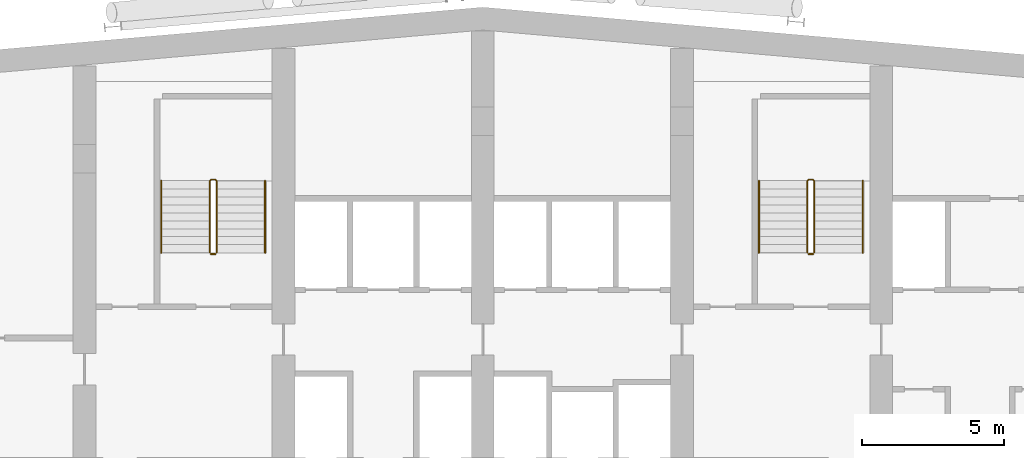
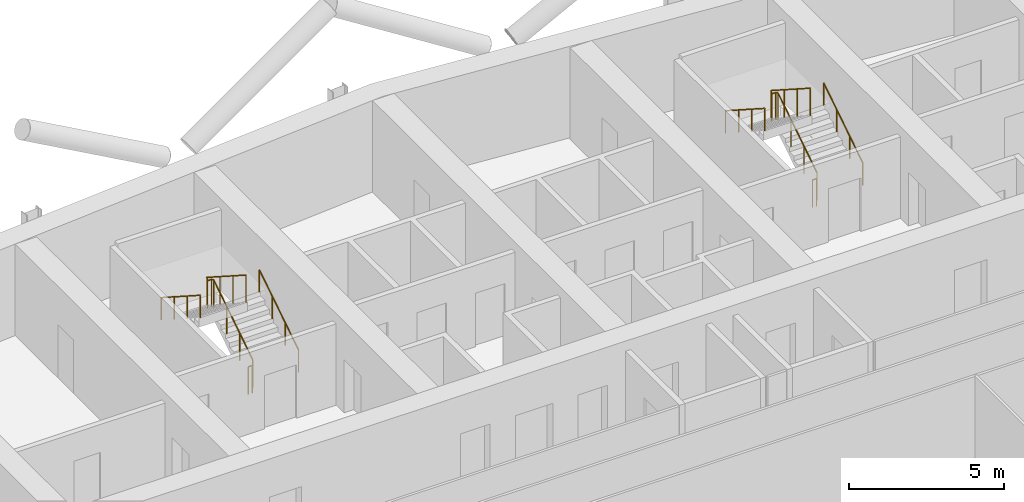
# One storey, part 28 of 28: 8 railings.
"""IFC4 building model written with IfcOpenShell, lengths in metres."""

from ifc_helpers import new_model, si_unit, direction, frame, origin, origin_2d, place, context, subcontext, project, spatial, circle, extrude, material, type_object, element, save


model = new_model("IFC4")

# Units and contexts
model_context = context("Model", 3, precision=1e-05, world=origin(), true_north=direction((0.0, 1.0)))
body_context = subcontext(model_context, "Body", "Model", "MODEL_VIEW")
ifc_project = project(units=[si_unit("LENGTHUNIT", "METRE"), si_unit("AREAUNIT", "SQUARE_METRE"), si_unit("VOLUMEUNIT", "CUBIC_METRE"), si_unit("PLANEANGLEUNIT", "RADIAN"), si_unit("MASSUNIT", "GRAM", prefix="KILO")], contexts=[model_context])

# Site, building, storey
site_placement = place(None, origin())
site = spatial("IfcSite", under=ifc_project, at=site_placement, CompositionType="ELEMENT")
building_placement = place(site_placement, origin())
building = spatial("IfcBuilding", under=site, at=building_placement, Name="Wharfspan Tower", CompositionType="ELEMENT")
storey_placement = place(building_placement, frame((0.0, 0.0, 187.899902)))
storey = spatial("IfcBuildingStorey", under=building, at=storey_placement, Name="L46", CompositionType="ELEMENT", Elevation=187.899902)

# Railings
ifc_material = material(Name="Steel S355J2", Category="steel")
railing_type_1 = type_object("IfcRailingType", Name="Stair guard 1100", PredefinedType="GUARDRAIL", material=ifc_material)
railing_1_placement = place(storey_placement, frame((27.649902, 42.0, 0.180176)))
element("IfcRailing", 1, at=railing_1_placement, inside=storey, type_object=railing_type_1, Name="L46 ST1 stair guard 1", PredefinedType="GUARDRAIL", context=body_context, shape_type="SweptSolid", body=[
    extrude(circle(Radius=0.023926, at=origin_2d()), frame((0.0, 0.0, 1.076172), z_axis=(0.0, 0.8412, 0.540725), x_axis=(-1.0, 0.0, 0.0)), (0.0, 0.0, 1.0), 2.99585),
    extrude(circle(Radius=0.023926, at=origin_2d()), frame((0.0, 2.52002, 2.695801), z_axis=(-0.705376, 0.708834, 0.0), x_axis=(-0.708834, -0.705376, 0.0)), (0.0, 0.0, 1.0), 0.070557),
    extrude(circle(Radius=0.023926, at=origin_2d()), frame((-0.049805, 2.570068, 2.695801), z_axis=(-1.0, 0.0, 0.0), x_axis=(0.0, -1.0, 0.0)), (0.0, 0.0, 1.0), 0.150146),
    extrude(circle(Radius=0.023926, at=origin_2d()), frame((-0.199951, 2.570068, 2.695801), z_axis=(-0.258848, -0.258848, 0.930589), x_axis=(0.707107, -0.707107, 0.0)), (0.0, 0.0, 1.0), 0.193359),
    extrude(circle(Radius=0.023926, at=origin_2d()), frame((-0.25, 2.52002, 2.875977), z_axis=(0.0, -0.841163, 0.540782), x_axis=(1.0, 0.0, 0.0)), (0.0, 0.0, 1.0), 2.99585),
    extrude(circle(Radius=0.020996, at=origin_2d()), origin(), (0.0, 0.0, 1.0), 1.052002),
    extrude(circle(Radius=0.020996, at=origin_2d()), frame((0.0, 0.840088, 0.540039)), (0.0, 0.0, 1.0), 1.052002),
    extrude(circle(Radius=0.020996, at=origin_2d()), frame((0.0, 1.679932, 1.079834)), (0.0, 0.0, 1.0), 1.052002),
    extrude(circle(Radius=0.020996, at=origin_2d()), frame((0.0, 2.52002, 1.619873)), (0.0, 0.0, 1.0), 1.052002),
    extrude(circle(Radius=0.020996, at=origin_2d()), frame((-0.049805, 2.570068, 1.619873)), (0.0, 0.0, 1.0), 1.052002),
    extrude(circle(Radius=0.020996, at=origin_2d()), frame((-0.199951, 2.570068, 1.619873)), (0.0, 0.0, 1.0), 1.052002),
    extrude(circle(Radius=0.020996, at=origin_2d()), frame((-0.25, 2.52002, 1.799805)), (0.0, 0.0, 1.0), 1.052002),
    extrude(circle(Radius=0.020996, at=origin_2d()), frame((-0.25, 1.679932, 2.339844)), (0.0, 0.0, 1.0), 1.052002),
    extrude(circle(Radius=0.020996, at=origin_2d()), frame((-0.25, 0.840088, 2.879883)), (0.0, 0.0, 1.0), 1.052002),
    extrude(circle(Radius=0.020996, at=origin_2d()), frame((-0.25, 0.0, 3.419922)), (0.0, 0.0, 1.0), 1.052002),
])
railing_2_placement = place(storey_placement, frame((27.600098, 41.949951, 0.0)))
element("IfcRailing", 2, at=railing_2_placement, inside=storey, type_object=railing_type_1, Name="L46 ST1 stair guard 2", PredefinedType="GUARDRAIL", context=body_context, shape_type="SweptSolid", body=[
    extrude(circle(Radius=0.023926, at=origin_2d()), frame((0.0, 0.0, 1.076172), z_axis=(-1.0, 0.0, 0.0), x_axis=(0.0, -1.0, 0.0)), (0.0, 0.0, 1.0), 0.150146),
    extrude(circle(Radius=0.020996, at=origin_2d()), origin(), (0.0, 0.0, 1.0), 1.052002),
    extrude(circle(Radius=0.020996, at=origin_2d()), frame((-0.150146, 0.0, 0.0)), (0.0, 0.0, 1.0), 1.052002),
])
railing_3_placement = place(storey_placement, frame((48.649902, 42.0, 0.180176)))
element("IfcRailing", 3, at=railing_3_placement, inside=storey, type_object=railing_type_1, Name="L46 ST2 stair guard 1", PredefinedType="GUARDRAIL", context=body_context, shape_type="SweptSolid", body=[
    extrude(circle(Radius=0.023926, at=origin_2d()), frame((0.0, 0.0, 1.076172), z_axis=(0.0, 0.8412, 0.540725), x_axis=(-1.0, 0.0, 0.0)), (0.0, 0.0, 1.0), 2.99585),
    extrude(circle(Radius=0.023926, at=origin_2d()), frame((0.0, 2.52002, 2.695801), z_axis=(-0.705376, 0.708834, 0.0), x_axis=(-0.708834, -0.705376, 0.0)), (0.0, 0.0, 1.0), 0.070557),
    extrude(circle(Radius=0.023926, at=origin_2d()), frame((-0.049805, 2.570068, 2.695801), z_axis=(-1.0, 0.0, 0.0), x_axis=(0.0, -1.0, 0.0)), (0.0, 0.0, 1.0), 0.150146),
    extrude(circle(Radius=0.023926, at=origin_2d()), frame((-0.199951, 2.570068, 2.695801), z_axis=(-0.258848, -0.258848, 0.930589), x_axis=(0.707107, -0.707107, 0.0)), (0.0, 0.0, 1.0), 0.193359),
    extrude(circle(Radius=0.023926, at=origin_2d()), frame((-0.25, 2.52002, 2.875977), z_axis=(0.0, -0.841163, 0.540782), x_axis=(1.0, 0.0, 0.0)), (0.0, 0.0, 1.0), 2.99585),
    extrude(circle(Radius=0.020996, at=origin_2d()), origin(), (0.0, 0.0, 1.0), 1.052002),
    extrude(circle(Radius=0.020996, at=origin_2d()), frame((0.0, 0.840088, 0.540039)), (0.0, 0.0, 1.0), 1.052002),
    extrude(circle(Radius=0.020996, at=origin_2d()), frame((0.0, 1.679932, 1.079834)), (0.0, 0.0, 1.0), 1.052002),
    extrude(circle(Radius=0.020996, at=origin_2d()), frame((0.0, 2.52002, 1.619873)), (0.0, 0.0, 1.0), 1.052002),
    extrude(circle(Radius=0.020996, at=origin_2d()), frame((-0.049805, 2.570068, 1.619873)), (0.0, 0.0, 1.0), 1.052002),
    extrude(circle(Radius=0.020996, at=origin_2d()), frame((-0.199951, 2.570068, 1.619873)), (0.0, 0.0, 1.0), 1.052002),
    extrude(circle(Radius=0.020996, at=origin_2d()), frame((-0.25, 2.52002, 1.799805)), (0.0, 0.0, 1.0), 1.052002),
    extrude(circle(Radius=0.020996, at=origin_2d()), frame((-0.25, 1.679932, 2.339844)), (0.0, 0.0, 1.0), 1.052002),
    extrude(circle(Radius=0.020996, at=origin_2d()), frame((-0.25, 0.840088, 2.879883)), (0.0, 0.0, 1.0), 1.052002),
    extrude(circle(Radius=0.020996, at=origin_2d()), frame((-0.25, 0.0, 3.419922)), (0.0, 0.0, 1.0), 1.052002),
])
railing_4_placement = place(storey_placement, frame((48.600098, 41.949951, 0.0)))
element("IfcRailing", 4, at=railing_4_placement, inside=storey, type_object=railing_type_1, Name="L46 ST2 stair guard 2", PredefinedType="GUARDRAIL", context=body_context, shape_type="SweptSolid", body=[
    extrude(circle(Radius=0.023926, at=origin_2d()), frame((0.0, 0.0, 1.076172), z_axis=(-1.0, 0.0, 0.0), x_axis=(0.0, -1.0, 0.0)), (0.0, 0.0, 1.0), 0.150146),
    extrude(circle(Radius=0.020996, at=origin_2d()), origin(), (0.0, 0.0, 1.0), 1.052002),
    extrude(circle(Radius=0.020996, at=origin_2d()), frame((-0.150146, 0.0, 0.0)), (0.0, 0.0, 1.0), 1.052002),
])
railing_type_2 = type_object("IfcRailingType", Name="Stair handrail 900", PredefinedType="HANDRAIL", material=ifc_material)
railing_5_placement = place(storey_placement, frame((29.350098, 42.0, 0.180176)))
element("IfcRailing", 5, at=railing_5_placement, inside=storey, type_object=railing_type_2, Name="L46 ST1 stair handrail 1", PredefinedType="HANDRAIL", context=body_context, shape_type="SweptSolid", body=[
    extrude(circle(Radius=0.023926, at=origin_2d()), frame((0.0, 0.0, 0.875977), z_axis=(0.0, 0.8412, 0.540725), x_axis=(-1.0, 0.0, 0.0)), (0.0, 0.0, 1.0), 2.99585),
    extrude(circle(Radius=0.020996, at=origin_2d()), origin(), (0.0, 0.0, 1.0), 0.851807),
    extrude(circle(Radius=0.020996, at=origin_2d()), frame((0.0, 0.840088, 0.540039)), (0.0, 0.0, 1.0), 0.851807),
    extrude(circle(Radius=0.020996, at=origin_2d()), frame((0.0, 1.679932, 1.079834)), (0.0, 0.0, 1.0), 0.851807),
    extrude(circle(Radius=0.020996, at=origin_2d()), frame((0.0, 2.52002, 1.619873)), (0.0, 0.0, 1.0), 0.851807),
])
railing_6_placement = place(storey_placement, frame((25.699951, 44.52002, 1.97998)))
element("IfcRailing", 6, at=railing_6_placement, inside=storey, type_object=railing_type_2, Name="L46 ST1 stair handrail 2", PredefinedType="HANDRAIL", context=body_context, shape_type="SweptSolid", body=[
    extrude(circle(Radius=0.023926, at=origin_2d()), frame((0.0, 0.0, 0.875977), z_axis=(0.0, -0.841163, 0.540782), x_axis=(1.0, 0.0, 0.0)), (0.0, 0.0, 1.0), 2.99585),
    extrude(circle(Radius=0.020996, at=origin_2d()), origin(), (0.0, 0.0, 1.0), 0.851807),
    extrude(circle(Radius=0.020996, at=origin_2d()), frame((0.0, -0.840088, 0.540039)), (0.0, 0.0, 1.0), 0.851807),
    extrude(circle(Radius=0.020996, at=origin_2d()), frame((0.0, -1.679932, 1.080078)), (0.0, 0.0, 1.0), 0.851807),
    extrude(circle(Radius=0.020996, at=origin_2d()), frame((0.0, -2.52002, 1.620117)), (0.0, 0.0, 1.0), 0.851807),
])
railing_7_placement = place(storey_placement, frame((50.350098, 42.0, 0.180176)))
element("IfcRailing", 7, at=railing_7_placement, inside=storey, type_object=railing_type_2, Name="L46 ST2 stair handrail 1", PredefinedType="HANDRAIL", context=body_context, shape_type="SweptSolid", body=[
    extrude(circle(Radius=0.023926, at=origin_2d()), frame((0.0, 0.0, 0.875977), z_axis=(0.0, 0.8412, 0.540725), x_axis=(-1.0, 0.0, 0.0)), (0.0, 0.0, 1.0), 2.99585),
    extrude(circle(Radius=0.020996, at=origin_2d()), origin(), (0.0, 0.0, 1.0), 0.851807),
    extrude(circle(Radius=0.020996, at=origin_2d()), frame((0.0, 0.840088, 0.540039)), (0.0, 0.0, 1.0), 0.851807),
    extrude(circle(Radius=0.020996, at=origin_2d()), frame((0.0, 1.679932, 1.079834)), (0.0, 0.0, 1.0), 0.851807),
    extrude(circle(Radius=0.020996, at=origin_2d()), frame((0.0, 2.52002, 1.619873)), (0.0, 0.0, 1.0), 0.851807),
])
railing_8_placement = place(storey_placement, frame((46.699951, 44.52002, 1.97998)))
element("IfcRailing", 8, at=railing_8_placement, inside=storey, type_object=railing_type_2, Name="L46 ST2 stair handrail 2", PredefinedType="HANDRAIL", context=body_context, shape_type="SweptSolid", body=[
    extrude(circle(Radius=0.023926, at=origin_2d()), frame((0.0, 0.0, 0.875977), z_axis=(0.0, -0.841163, 0.540782), x_axis=(1.0, 0.0, 0.0)), (0.0, 0.0, 1.0), 2.99585),
    extrude(circle(Radius=0.020996, at=origin_2d()), origin(), (0.0, 0.0, 1.0), 0.851807),
    extrude(circle(Radius=0.020996, at=origin_2d()), frame((0.0, -0.840088, 0.540039)), (0.0, 0.0, 1.0), 0.851807),
    extrude(circle(Radius=0.020996, at=origin_2d()), frame((0.0, -1.679932, 1.080078)), (0.0, 0.0, 1.0), 0.851807),
    extrude(circle(Radius=0.020996, at=origin_2d()), frame((0.0, -2.52002, 1.620117)), (0.0, 0.0, 1.0), 0.851807),
])

save(model, "model.ifc")
